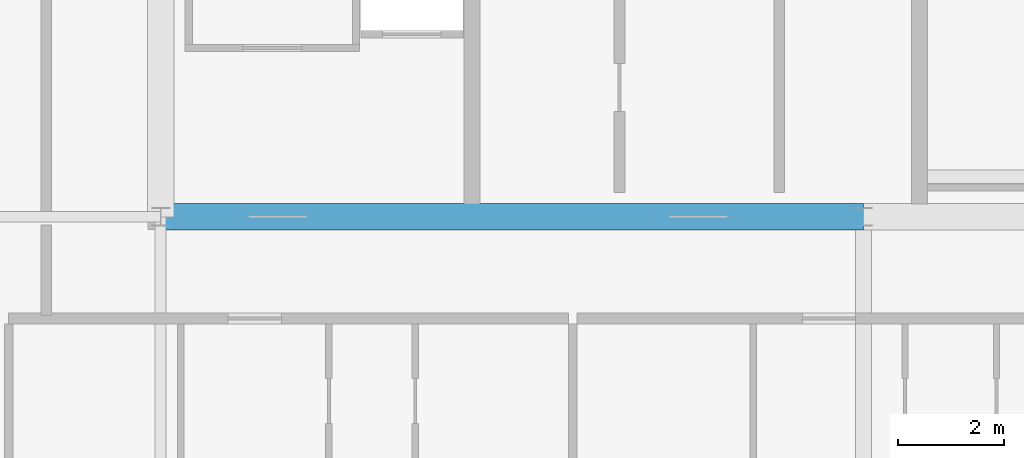
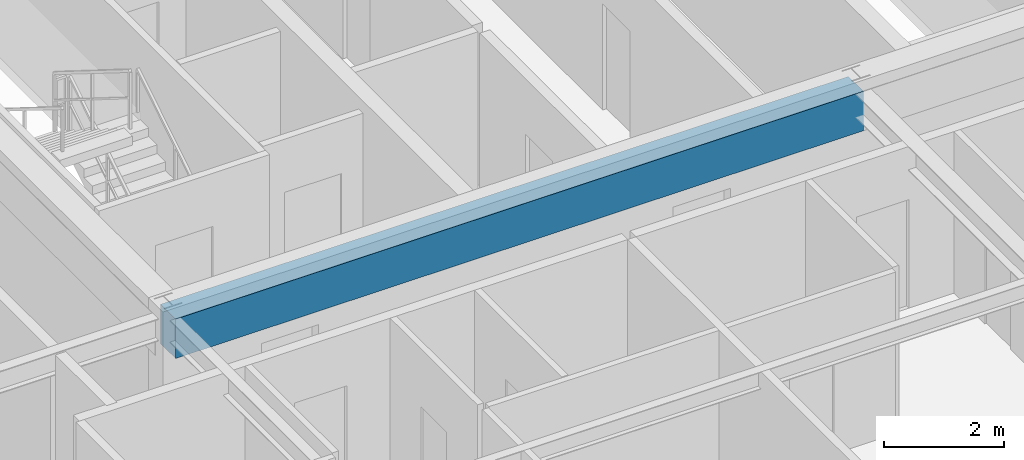
# One storey, part 7 of 35: 1 beam.
"""IFC4 building model written with IfcOpenShell, lengths in metres."""

from ifc_helpers import new_model, si_unit, direction, frame, origin, origin_2d, place, context, subcontext, project, spatial, rectangle, extrude, source, transform, mapped, material, material_profile, profile_set, type_object, element, save


model = new_model("IFC4")

# Units and contexts
model_context = context("Model", 3, precision=1e-05, world=origin(), true_north=direction((0.0, 1.0)))
body_context = subcontext(model_context, "Body", "Model", "MODEL_VIEW")
ifc_project = project(units=[si_unit("LENGTHUNIT", "METRE"), si_unit("AREAUNIT", "SQUARE_METRE"), si_unit("VOLUMEUNIT", "CUBIC_METRE"), si_unit("PLANEANGLEUNIT", "RADIAN"), si_unit("MASSUNIT", "GRAM", prefix="KILO"), si_unit("THERMODYNAMICTEMPERATUREUNIT", "KELVIN"), si_unit("POWERUNIT", "WATT")], contexts=[model_context])

# Site, building, storey
site_placement = place(None, origin())
site = spatial("IfcSite", under=ifc_project, at=site_placement, CompositionType="ELEMENT")
building_placement = place(site_placement, origin())
building = spatial("IfcBuilding", under=site, at=building_placement, Name="Yuzanri Waterfront Tower", CompositionType="ELEMENT")
storey_placement = place(building_placement, frame((0.0, 0.0, 289.10009765625)))
storey = spatial("IfcBuildingStorey", under=building, at=storey_placement, Name="L77", CompositionType="ELEMENT", Elevation=289.10009765625)

# Beam
ifc_material = material(Name="Concrete C50", Category="concrete")
ifc_material_profile = material_profile(ifc_material, rectangle(XDim=0.5, YDim=0.800048828125, at=origin_2d()), Name="RC 500x800")
ifc_profile_set = profile_set([ifc_material_profile], Name="Concrete C50")
beam_type = type_object("IfcBeamType", Name="Core Coupling Lintel Concrete C50 500x800", PredefinedType="LINTEL", material=ifc_profile_set)
shared_shape = source(origin(), body_context, "Body", "SweptSolid", [
    extrude(rectangle(XDim=0.5, YDim=0.800048828125, at=origin_2d()), origin(), (0.0, 0.0, 1.0), 13.199951171875),
])
beam_placement = place(storey_placement, frame((23.800048828125, 19.39990234375, 2.8798828125), z_axis=(1.0, 0.0, 0.0), x_axis=(0.0, 1.0, 0.0)))
element("IfcBeam", 1, at=beam_placement, inside=storey, type_object=beam_type, Name="L77 Core Tie Beam CS1", PredefinedType="LINTEL", context=body_context, shape_type="MappedRepresentation", body=[
    mapped(shared_shape, transform((0.0, 0.0, 0.0), scale=1.0)),
])

save(model, "model.ifc")
